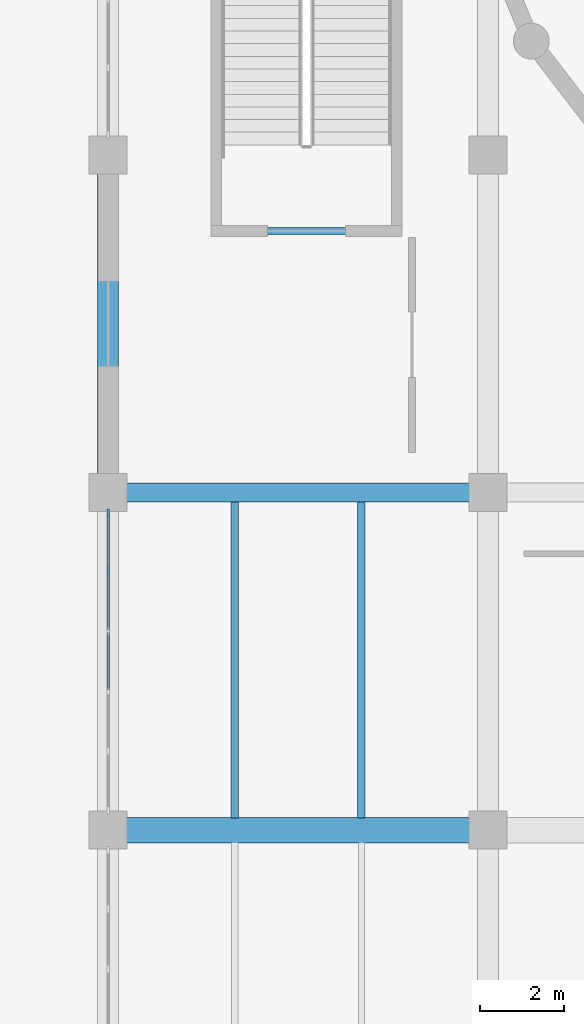
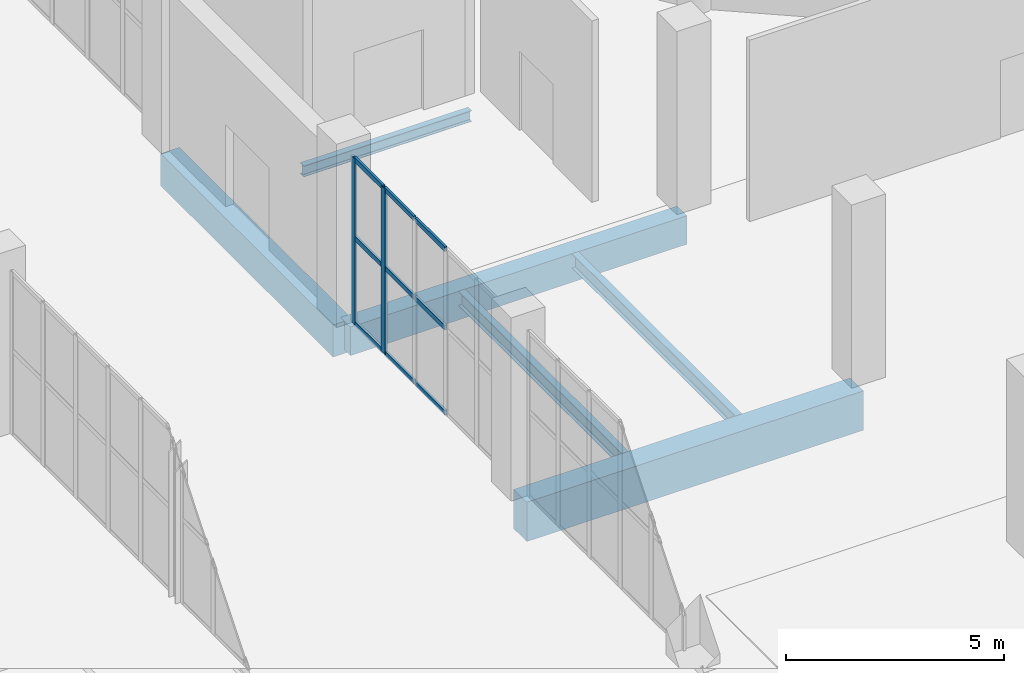
# One storey, part 35 of 103: 11 members, 6 beams, 1 element without a shape of its own.
"""IFC4 building model written with IfcOpenShell, lengths in metres."""

from ifc_helpers import new_model, si_unit, direction, frame, origin, origin_2d, place, context, subcontext, project, spatial, rectangle, i_section, extrude, material, layer, layer_set, material_profile, profile_set, type_object, element, aggregate, save


model = new_model("IFC4")

# Units and contexts
model_context = context("Model", 3, precision=1e-05, world=origin(), true_north=direction((0.0, 1.0)))
body_context = subcontext(model_context, "Body", "Model", "MODEL_VIEW")
ifc_project = project(units=[si_unit("LENGTHUNIT", "METRE"), si_unit("AREAUNIT", "SQUARE_METRE"), si_unit("VOLUMEUNIT", "CUBIC_METRE"), si_unit("PLANEANGLEUNIT", "RADIAN"), si_unit("MASSUNIT", "GRAM", prefix="KILO")], contexts=[model_context])

# Site, building, storey
site_placement = place(None, origin())
site = spatial("IfcSite", under=ifc_project, at=site_placement, CompositionType="ELEMENT")
building_placement = place(site_placement, origin())
building = spatial("IfcBuilding", under=site, at=building_placement, Name="Marnock Terrace Opera House", CompositionType="ELEMENT")
storey_placement = place(building_placement, origin())
storey = spatial("IfcBuildingStorey", under=building, at=storey_placement, Name="L00", CompositionType="ELEMENT", Elevation=0.0)

# Beams
ifc_material_1 = material(Name="Concrete N40 (f'c = 40 MPa)", Category="concrete")
ifc_material_profile_1 = material_profile(ifc_material_1, rectangle(XDim=0.449951171875, YDim=0.800048828125, at=origin_2d()))
ifc_profile_set_1 = profile_set([ifc_material_profile_1], Name="Concrete N40 (f'c = 40 MPa)")
beam_type_1 = type_object("IfcBeamType", Name="BM-B1-RC450", PredefinedType="BEAM", material=ifc_profile_set_1)
beam_1_placement = place(storey_placement, frame((55.050048828125, 40.0, -0.699951171875), z_axis=(1.0, 0.0, 0.0), x_axis=(0.0, 1.0, 0.0)))
element("IfcBeam", 1, at=beam_1_placement, inside=storey, type_object=beam_type_1, Name="L00 girder (55.0..64.0, Y=40.0)", PredefinedType="BEAM", context=body_context, shape_type="SweptSolid", body=[
    extrude(rectangle(XDim=0.449951171875, YDim=0.800048828125, at=origin_2d()), origin(), (0.0, 0.0, 1.0), 8.89990234375),
])
ifc_material_profile_2 = material_profile(ifc_material_1, rectangle(XDim=0.5, YDim=0.89990234375, at=origin_2d()))
ifc_profile_set_2 = profile_set([ifc_material_profile_2], Name="Concrete N40 (f'c = 40 MPa)")
beam_type_2 = type_object("IfcBeamType", Name="BM-B1-RC500", PredefinedType="BEAM", material=ifc_profile_set_2)
beam_2_placement = place(storey_placement, frame((55.0, 40.050048828125, -0.75), z_axis=(0.0, 1.0, 0.0), x_axis=(-1.0, 0.0, 0.0)))
element("IfcBeam", 2, at=beam_2_placement, inside=storey, type_object=beam_type_2, Name="L00 girder (X=55.0, 40.0..48.0)", PredefinedType="BEAM", context=body_context, shape_type="SweptSolid", body=[
    extrude(rectangle(XDim=0.5, YDim=0.89990234375, at=origin_2d()), origin(), (0.0, 0.0, 1.0), 7.89990234375),
])
ifc_material_profile_3 = material_profile(ifc_material_1, rectangle(XDim=0.60009765625, YDim=1.10009765625, at=origin_2d()))
ifc_profile_set_3 = profile_set([ifc_material_profile_3], Name="Concrete N40 (f'c = 40 MPa)")
beam_type_3 = type_object("IfcBeamType", Name="BM-B1-RC600", PredefinedType="BEAM", material=ifc_profile_set_3)
beam_3_placement = place(storey_placement, frame((55.050048828125, 32.0, -0.85009765625), z_axis=(1.0, 0.0, 0.0), x_axis=(0.0, 1.0, 0.0)))
element("IfcBeam", 3, at=beam_3_placement, inside=storey, type_object=beam_type_3, Name="L00 girder (55.0..64.0, Y=32.0)", PredefinedType="BEAM", context=body_context, shape_type="SweptSolid", body=[
    extrude(rectangle(XDim=0.60009765625, YDim=1.10009765625, at=origin_2d()), origin(), (0.0, 0.0, 1.0), 8.89990234375),
])
ifc_material_2 = material(Name="Steel Grade 350 (AS/NZS 3679.1)", Category="steel")
ifc_material_profile_4 = material_profile(ifc_material_2, i_section(OverallWidth=0.177978515625, OverallDepth=0.406494140625, WebThickness=0.0078125, FlangeThickness=0.0126953125, FilletRadius=0.011474609375, at=origin_2d()))
ifc_profile_set_4 = profile_set([ifc_material_profile_4], Name="Steel Grade 350 (AS/NZS 3679.1)")
beam_type_4 = type_object("IfcBeamType", Name="BM-JOIST-410", PredefinedType="JOIST", material=ifc_profile_set_4)
for number, where, z_axis, x_axis, name in (
    (4, (58.0, 32.294921875, -0.503173828125), (0.0, 1.0, 0.0), (-1.0, 0.0, 0.0), "L00 secondary joist 6.4.1"),
    (5, (61.0, 32.294921875, -0.503173828125), (0.0, 1.0, 0.0), (-1.0, 0.0, 0.0), "L00 secondary joist 6.4.2"),
):
    element("IfcBeam", number, at=place(storey_placement, frame(where, z_axis=z_axis, x_axis=x_axis)), inside=storey, type_object=beam_type_4, Name=name, PredefinedType="JOIST", context=body_context, shape_type="SweptSolid", body=[
        extrude(i_section(OverallWidth=0.177978515625, OverallDepth=0.406494140625, WebThickness=0.0078125, FlangeThickness=0.0126953125, FilletRadius=0.011474609375, at=origin_2d()), origin(), (0.0, 0.0, 1.0), 7.485107421875),
    ])
ifc_material_profile_5 = material_profile(ifc_material_2, i_section(OverallWidth=0.166015625, OverallDepth=0.30712890625, WebThickness=0.006591796875, FlangeThickness=0.01171875, FilletRadius=0.011474609375, at=origin_2d()))
ifc_profile_set_5 = profile_set([ifc_material_profile_5], Name="Steel Grade 350 (AS/NZS 3679.1)")
beam_type_5 = type_object("IfcBeamType", Name="BM-LINT-310", PredefinedType="LINTEL", material=ifc_profile_set_5)
beam_4_placement = place(storey_placement, frame((57.47998046875, 46.199951171875, -0.64990234375), z_axis=(1.0, 0.0, 0.0), x_axis=(0.0, 1.0, 0.0)))
element("IfcBeam", 6, at=beam_4_placement, inside=storey, type_object=beam_type_5, Name="B1 Core C1 coupling lintel", PredefinedType="LINTEL", context=body_context, shape_type="SweptSolid", body=[
    extrude(i_section(OverallWidth=0.166015625, OverallDepth=0.30712890625, WebThickness=0.006591796875, FlangeThickness=0.01171875, FilletRadius=0.011474609375, at=origin_2d()), origin(), (0.0, 0.0, 1.0), 4.43994140625),
])

# Curtain wall, members
ifc_material_3 = material(Name="Anodised architectural bronze aluminium framing", Category="aluminium")
ifc_layer = layer(ifc_material_3, 0.159912109375)
ifc_layer_set = layer_set([ifc_layer], Name="Anodised architectural bronze aluminium framing")
curtain_wall_type = type_object("IfcCurtainWallType", Name="CW-FOYER-80x51", PredefinedType="NOTDEFINED", material=ifc_layer_set)
curtain_wall_placement = place(storey_placement, origin())
curtain_wall = element("IfcCurtainWall", 7, at=curtain_wall_placement, inside=storey, type_object=curtain_wall_type, Name="L00 glazed Beaux-Arts colonnade curtain wall CW-V1W-L00-04", PredefinedType="NOTDEFINED")
ifc_material_profile_6 = material_profile(ifc_material_3, rectangle(XDim=0.06494140625, YDim=0.179931640625, at=origin_2d()))
ifc_profile_set_6 = profile_set([ifc_material_profile_6], Name="Anodised architectural bronze aluminium framing")
member_type_1 = type_object("IfcMemberType", Name="CWM-65x180", PredefinedType="MULLION", material=ifc_profile_set_6)
member_1_placement = place(storey_placement, frame((55.0, 38.13232421875, 0.0), z_axis=(0.0, 0.0, 1.0), x_axis=(-1.0, 0.0, 0.0)))
member_1 = element("IfcMember", 8, at=member_1_placement, type_object=member_type_1, Name="CW-73 mullion 5", PredefinedType="MULLION", context=body_context, shape_type="SweptSolid", body=[
    extrude(rectangle(XDim=0.06494140625, YDim=0.179931640625, at=origin_2d()), origin(), (0.0, 0.0, 1.0), 4.632568359375),
])
member_2_placement = place(storey_placement, frame((55.0, 39.52392578125, 0.0), z_axis=(0.0, 0.0, 1.0), x_axis=(-1.0, 0.0, 0.0)))
member_2 = element("IfcMember", 9, at=member_2_placement, type_object=member_type_1, Name="CW-73 mullion 6", PredefinedType="MULLION", context=body_context, shape_type="SweptSolid", body=[
    extrude(rectangle(XDim=0.06494140625, YDim=0.179931640625, at=origin_2d()), origin(), (0.0, 0.0, 1.0), 4.632568359375),
])
ifc_material_profile_7 = material_profile(ifc_material_3, rectangle(XDim=0.06005859375, YDim=0.1298828125, at=origin_2d()))
ifc_profile_set_7 = profile_set([ifc_material_profile_7], Name="Anodised architectural bronze aluminium framing")
member_type_2 = type_object("IfcMemberType", Name="CWT-60x130", PredefinedType="USERDEFINED", material=ifc_profile_set_7)
member_3_placement = place(storey_placement, frame((55.0, 35.319091796875, 0.030029296875), z_axis=(0.0, 1.0, 0.0), x_axis=(-1.0, 0.0, 0.0)))
member_3 = element("IfcMember", 10, at=member_3_placement, type_object=member_type_2, Name="CW-73 transom 3.1", ObjectType="TRANSOM", PredefinedType="USERDEFINED", context=body_context, shape_type="SweptSolid", body=[
    extrude(rectangle(XDim=0.06005859375, YDim=0.1298828125, at=origin_2d()), origin(), (0.0, 0.0, 1.0), 1.36181640625),
])
member_4_placement = place(storey_placement, frame((55.0, 35.319091796875, 2.408935546875), z_axis=(0.0, 1.0, 0.0), x_axis=(-1.0, 0.0, 0.0)))
member_4 = element("IfcMember", 11, at=member_4_placement, type_object=member_type_2, Name="CW-73 transom 3.2", ObjectType="TRANSOM", PredefinedType="USERDEFINED", context=body_context, shape_type="SweptSolid", body=[
    extrude(rectangle(XDim=0.06005859375, YDim=0.1298828125, at=origin_2d()), origin(), (0.0, 0.0, 1.0), 1.36181640625),
])
member_5_placement = place(storey_placement, frame((55.0, 35.319091796875, 4.6025390625), z_axis=(0.0, 1.0, 0.0), x_axis=(-1.0, 0.0, 0.0)))
member_5 = element("IfcMember", 12, at=member_5_placement, type_object=member_type_2, Name="CW-73 transom 3.3", ObjectType="TRANSOM", PredefinedType="USERDEFINED", context=body_context, shape_type="SweptSolid", body=[
    extrude(rectangle(XDim=0.06005859375, YDim=0.1298828125, at=origin_2d()), origin(), (0.0, 0.0, 1.0), 1.36181640625),
])
member_6_placement = place(storey_placement, frame((55.0, 36.74072265625, 0.030029296875), z_axis=(0.0, 1.0, 0.0), x_axis=(-1.0, 0.0, 0.0)))
member_6 = element("IfcMember", 13, at=member_6_placement, type_object=member_type_2, Name="CW-73 transom 4.1", ObjectType="TRANSOM", PredefinedType="USERDEFINED", context=body_context, shape_type="SweptSolid", body=[
    extrude(rectangle(XDim=0.06005859375, YDim=0.1298828125, at=origin_2d()), origin(), (0.0, 0.0, 1.0), 1.361572265625),
])
member_7_placement = place(storey_placement, frame((55.0, 36.74072265625, 2.408935546875), z_axis=(0.0, 1.0, 0.0), x_axis=(-1.0, 0.0, 0.0)))
member_7 = element("IfcMember", 14, at=member_7_placement, type_object=member_type_2, Name="CW-73 transom 4.2", ObjectType="TRANSOM", PredefinedType="USERDEFINED", context=body_context, shape_type="SweptSolid", body=[
    extrude(rectangle(XDim=0.06005859375, YDim=0.1298828125, at=origin_2d()), origin(), (0.0, 0.0, 1.0), 1.361572265625),
])
member_8_placement = place(storey_placement, frame((55.0, 36.74072265625, 4.6025390625), z_axis=(0.0, 1.0, 0.0), x_axis=(-1.0, 0.0, 0.0)))
member_8 = element("IfcMember", 15, at=member_8_placement, type_object=member_type_2, Name="CW-73 transom 4.3", ObjectType="TRANSOM", PredefinedType="USERDEFINED", context=body_context, shape_type="SweptSolid", body=[
    extrude(rectangle(XDim=0.06005859375, YDim=0.1298828125, at=origin_2d()), origin(), (0.0, 0.0, 1.0), 1.361572265625),
])
member_9_placement = place(storey_placement, frame((55.0, 38.162353515625, 0.030029296875), z_axis=(0.0, 1.0, 0.0), x_axis=(-1.0, 0.0, 0.0)))
member_9 = element("IfcMember", 16, at=member_9_placement, type_object=member_type_2, Name="CW-73 transom 5.1", ObjectType="TRANSOM", PredefinedType="USERDEFINED", context=body_context, shape_type="SweptSolid", body=[
    extrude(rectangle(XDim=0.06005859375, YDim=0.1298828125, at=origin_2d()), origin(), (0.0, 0.0, 1.0), 1.33154296875),
])
member_10_placement = place(storey_placement, frame((55.0, 38.162353515625, 2.408935546875), z_axis=(0.0, 1.0, 0.0), x_axis=(-1.0, 0.0, 0.0)))
member_10 = element("IfcMember", 17, at=member_10_placement, type_object=member_type_2, Name="CW-73 transom 5.2", ObjectType="TRANSOM", PredefinedType="USERDEFINED", context=body_context, shape_type="SweptSolid", body=[
    extrude(rectangle(XDim=0.06005859375, YDim=0.1298828125, at=origin_2d()), origin(), (0.0, 0.0, 1.0), 1.33154296875),
])
member_11_placement = place(storey_placement, frame((55.0, 38.162353515625, 4.6025390625), z_axis=(0.0, 1.0, 0.0), x_axis=(-1.0, 0.0, 0.0)))
member_11 = element("IfcMember", 18, at=member_11_placement, type_object=member_type_2, Name="CW-73 transom 5.3", ObjectType="TRANSOM", PredefinedType="USERDEFINED", context=body_context, shape_type="SweptSolid", body=[
    extrude(rectangle(XDim=0.06005859375, YDim=0.1298828125, at=origin_2d()), origin(), (0.0, 0.0, 1.0), 1.33154296875),
])
aggregate(curtain_wall, [member_1, member_2, member_3, member_4, member_5, member_6, member_7, member_8, member_9, member_10, member_11])

save(model, "model.ifc")
